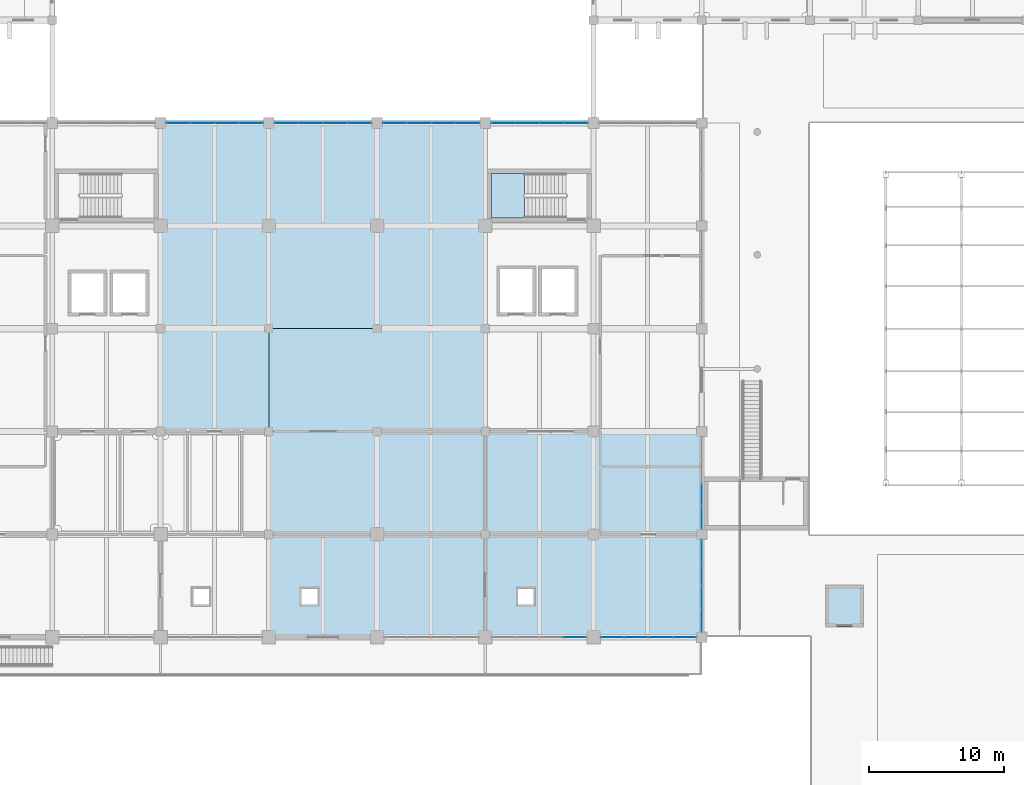
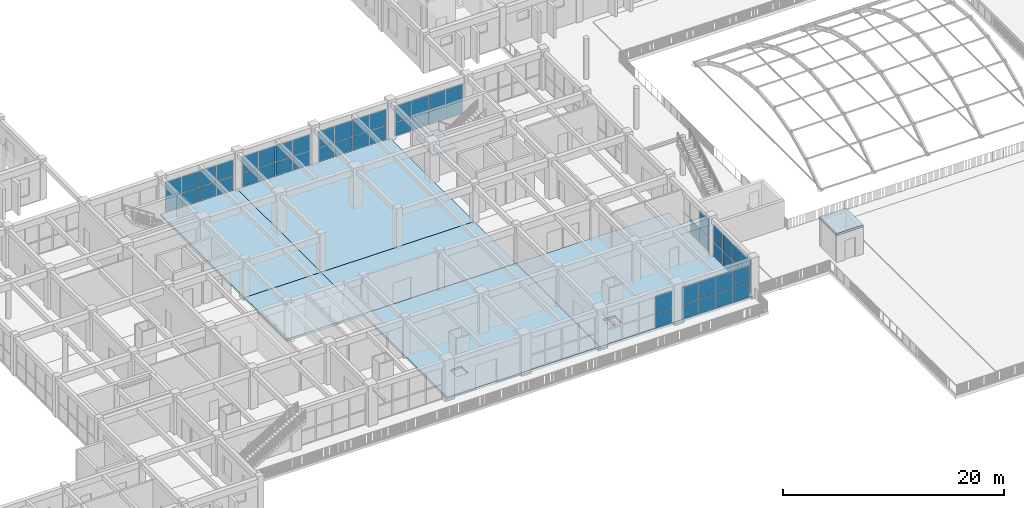
# One storey, part 44 of 79: 53 plates, 8 slabs, 9 elements without a shape of their own.
"""IFC4 building model written with IfcOpenShell, lengths in metres."""

from ifc_helpers import new_model, si_unit, direction, frame, origin, origin_2d, place, context, subcontext, project, spatial, polyline, rectangle, outline, extrude, material, layer, layer_set, type_object, element, aggregate, save


model = new_model("IFC4")

# Units and contexts
model_context = context("Model", 3, precision=1e-05, world=origin(), true_north=direction((0.0, 1.0)))
body_context = subcontext(model_context, "Body", "Model", "MODEL_VIEW")
ifc_project = project(units=[si_unit("LENGTHUNIT", "METRE"), si_unit("AREAUNIT", "SQUARE_METRE"), si_unit("VOLUMEUNIT", "CUBIC_METRE"), si_unit("PLANEANGLEUNIT", "RADIAN"), si_unit("MASSUNIT", "GRAM", prefix="KILO")], contexts=[model_context])

# Site, building, storey
site_placement = place(None, origin())
site = spatial("IfcSite", under=ifc_project, at=site_placement, CompositionType="ELEMENT")
building_placement = place(site_placement, origin())
building = spatial("IfcBuilding", under=site, at=building_placement, Name="Zantavel Square City Hall", CompositionType="ELEMENT")
storey_placement = place(building_placement, frame((0.0, 0.0, 10.199951171875)))
storey = spatial("IfcBuildingStorey", under=building, at=storey_placement, Name="L03", CompositionType="ELEMENT", Elevation=10.199951171875)

# Stair, slab
ifc_material_1 = material(Name="Concrete C35/45", Category="concrete")
stair_type = type_object("IfcStairType", Name="Enclosed Core Dogleg Stair L03 H4500", PredefinedType="HALF_TURN_STAIR", material=ifc_material_1)
stair_placement = place(storey_placement, origin())
stair = element("IfcStair", 1, at=stair_placement, inside=storey, type_object=stair_type, Name="L03 Exit Stair 6 Central East Core", PredefinedType="HALF_TURN_STAIR")
ifc_layer_1 = layer(ifc_material_1, 0.2099609375, Name="Concrete C35/45")
ifc_layer_set_1 = layer_set([ifc_layer_1], Name="Concrete C35/45")
slab_type_1 = type_object("IfcSlabType", Name="Core Stair Half-Landing Slab C35/45", PredefinedType="LANDING", material=ifc_layer_set_1)
slab_1_placement = place(storey_placement, frame((0.0, 0.0, 2.050048828125)))
slab_1 = element("IfcSlab", 2, at=slab_1_placement, type_object=slab_type_1, Name="ST6 landing 1", PredefinedType="LANDING", context=body_context, shape_type="SweptSolid", body=[
    extrude(outline(polyline([(98.889892578125, 64.669921875), (96.469970703125, 64.669921875), (96.469970703125, 61.39990234375), (98.889892578125, 61.39990234375), (98.889892578125, 64.669921875)])), origin(), (0.0, 0.0, 1.0), 0.199951171875),
])
aggregate(stair, [slab_1])

# Slabs
ifc_layer_2 = layer(ifc_material_1, 0.260009765625, Name="Concrete C35/45")
ifc_layer_set_2 = layer_set([ifc_layer_2], Name="Concrete C35/45")
slab_type_2 = type_object("IfcSlabType", Name="Council & Executive Slab 260mm C35/45", PredefinedType="FLOOR", material=ifc_layer_set_2)
slab_2_placement = place(storey_placement, frame((0.0, 0.0, -0.260009765625)))
element("IfcSlab", 3, at=slab_2_placement, inside=storey, type_object=slab_type_2, Name="L03 Floor Slab SLB-L03-V1-03", PredefinedType="FLOOR", context=body_context, shape_type="SweptSolid", body=[
    extrude(outline(polyline([(96.0, 30.39990234375), (80.0, 30.39990234375), (80.0, 45.60009765625), (96.0, 45.60009765625), (96.0, 30.39990234375)]), holes=[polyline([(83.60009765625, 34.0), (82.39990234375, 34.0), (82.39990234375, 32.800048828125), (83.60009765625, 32.800048828125), (83.60009765625, 34.0)])]), origin(), (0.0, 0.0, 1.0), 0.260009765625),
])
slab_3_placement = place(storey_placement, frame((0.0, 0.0, -0.260009765625)))
element("IfcSlab", 4, at=slab_3_placement, inside=storey, type_object=slab_type_2, Name="L03 Floor Slab SLB-L03-V1-04", PredefinedType="FLOOR", context=body_context, shape_type="SweptSolid", body=[
    extrude(outline(polyline([(112.0, 30.39990234375), (96.0, 30.39990234375), (96.0, 45.60009765625), (112.0, 45.60009765625), (112.0, 30.39990234375)]), holes=[polyline([(99.60009765625, 34.0), (98.39990234375, 34.0), (98.39990234375, 32.800048828125), (99.60009765625, 32.800048828125), (99.60009765625, 34.0)])]), origin(), (0.0, 0.0, 1.0), 0.260009765625),
])
slab_4_placement = place(storey_placement, frame((0.0, 0.0, -0.260009765625)))
element("IfcSlab", 5, at=slab_4_placement, inside=storey, type_object=slab_type_2, Name="L03 Floor Slab SLB-L03-V1-06", PredefinedType="FLOOR", context=body_context, shape_type="SweptSolid", body=[
    extrude(outline(polyline([(80.0, 53.199951171875), (80.0, 45.60009765625), (72.0, 45.60009765625), (72.0, 53.199951171875), (80.0, 53.199951171875)])), origin(), (0.0, 0.0, 1.0), 0.260009765625),
])
slab_5_placement = place(storey_placement, frame((0.0, 0.0, -0.260009765625)))
element("IfcSlab", 6, at=slab_5_placement, inside=storey, type_object=slab_type_2, Name="L03 Floor Slab SLB-L03-V1-07", PredefinedType="FLOOR", context=body_context, shape_type="SweptSolid", body=[
    extrude(outline(polyline([(96.0, 53.199951171875), (96.0, 45.60009765625), (80.0, 45.60009765625), (80.0, 53.199951171875), (96.0, 53.199951171875)])), origin(), (0.0, 0.0, 1.0), 0.260009765625),
])
slab_6_placement = place(storey_placement, frame((0.0, 0.0, -0.260009765625)))
element("IfcSlab", 7, at=slab_6_placement, inside=storey, type_object=slab_type_2, Name="L03 Floor Slab SLB-L03-V1-10", PredefinedType="FLOOR", context=body_context, shape_type="SweptSolid", body=[
    extrude(outline(polyline([(80.0, 68.39990234375), (80.0, 53.199951171875), (72.0, 53.199951171875), (72.0, 68.39990234375), (80.0, 68.39990234375)])), origin(), (0.0, 0.0, 1.0), 0.260009765625),
])
slab_7_placement = place(storey_placement, frame((0.0, 0.0, -0.260009765625)))
element("IfcSlab", 8, at=slab_7_placement, inside=storey, type_object=slab_type_2, Name="L03 Floor Slab SLB-L03-V1-11", PredefinedType="FLOOR", context=body_context, shape_type="SweptSolid", body=[
    extrude(outline(polyline([(96.0, 68.39990234375), (96.0, 53.199951171875), (80.0, 53.199951171875), (80.0, 68.39990234375), (96.0, 68.39990234375)])), origin(), (0.0, 0.0, 1.0), 0.260009765625),
])
ifc_layer_3 = layer(ifc_material_1, 0.219970703125, Name="Concrete C35/45")
ifc_layer_set_3 = layer_set([ifc_layer_3], Name="Concrete C35/45")
slab_type_3 = type_object("IfcSlabType", Name="Insulated Flat Roof Slab 220mm C35/45", PredefinedType="ROOF", material=ifc_layer_set_3)
slab_8_placement = place(storey_placement, frame((0.0, 0.0, 3.0)))
element("IfcSlab", 9, at=slab_8_placement, inside=storey, type_object=slab_type_3, Name="L03 Lift LF07 Garden Overrun Roof Slab", PredefinedType="ROOF", context=body_context, shape_type="SweptSolid", body=[
    extrude(outline(polyline([(121.14990234375, 31.14990234375), (123.949951171875, 31.14990234375), (123.949951171875, 34.25), (121.14990234375, 34.25), (121.14990234375, 31.14990234375)])), origin(), (0.0, 0.0, 1.0), 0.219970703125),
])

# Curtain wall, plates
ifc_material_2 = material(Name="Anodised aluminium 6063-T6", Category="aluminium")
curtain_wall_type_1 = type_object("IfcCurtainWallType", Name="Curtain Wall TRV1 6850x3670", PredefinedType="USERDEFINED", material=ifc_material_2)
curtain_wall_1_placement = place(storey_placement, origin())
curtain_wall_1 = element("IfcCurtainWall", 10, at=curtain_wall_1_placement, inside=storey, type_object=curtain_wall_type_1, Name="L03 Glazed Curtain Wall CW-L03-092", ObjectType="GLAZED CURTAIN WALL", PredefinedType="USERDEFINED")
ifc_material_3 = material(Name="Tempered safety glass low-E double glazing", Category="glass")
ifc_layer_4 = layer(ifc_material_3, 0.028076171875, Name="Tempered safety glass low-E double glazing")
ifc_layer_set_4 = layer_set([ifc_layer_4], Name="Tempered safety glass low-E double glazing")
plate_type_1 = type_object("IfcPlateType", Name="Low-E Curtain Glazing Panel 1713x1835x28", PredefinedType="CURTAIN_PANEL", material=ifc_layer_set_4)
plate_1_placement = place(storey_placement, frame((112.0, 40.94384765625, 0.06005859375), z_axis=(0.0, 0.0, 1.0), x_axis=(0.0, -1.0, 0.0)))
plate_1 = element("IfcPlate", 11, at=plate_1_placement, type_object=plate_type_1, Name="CW-092 panel 3.1", PredefinedType="CURTAIN_PANEL", context=body_context, shape_type="SweptSolid", body=[
    extrude(rectangle(XDim=1.652587890625, YDim=0.028076171875, at=origin_2d()), origin(), (0.0, 0.0, 1.0), 1.56103515625),
])
plate_2_placement = place(storey_placement, frame((112.0, 39.246337890625, 0.06005859375), z_axis=(0.0, 0.0, 1.0), x_axis=(0.0, -1.0, 0.0)))
plate_2 = element("IfcPlate", 12, at=plate_2_placement, type_object=plate_type_1, Name="CW-092 panel 4.1", PredefinedType="CURTAIN_PANEL", context=body_context, shape_type="SweptSolid", body=[
    extrude(rectangle(XDim=1.62255859375, YDim=0.028076171875, at=origin_2d()), origin(), (0.0, 0.0, 1.0), 1.56103515625),
])
plate_3_placement = place(storey_placement, frame((112.0, 39.246337890625, 1.68115234375), z_axis=(0.0, 0.0, 1.0), x_axis=(0.0, -1.0, 0.0)))
plate_3 = element("IfcPlate", 13, at=plate_3_placement, type_object=plate_type_1, Name="CW-092 panel 4.2", PredefinedType="CURTAIN_PANEL", context=body_context, shape_type="SweptSolid", body=[
    extrude(rectangle(XDim=1.62255859375, YDim=0.028076171875, at=origin_2d()), origin(), (0.0, 0.0, 1.0), 1.928955078125),
])
aggregate(curtain_wall_1, [plate_1, plate_2, plate_3])

curtain_wall_2_placement = place(storey_placement, origin())
curtain_wall_2 = element("IfcCurtainWall", 14, at=curtain_wall_2_placement, inside=storey, type_object=curtain_wall_type_1, Name="L03 Glazed Curtain Wall CW-L03-093", ObjectType="GLAZED CURTAIN WALL", PredefinedType="USERDEFINED")
plate_4_placement = place(storey_placement, frame((112.0, 36.753662109375, 0.06005859375), z_axis=(0.0, 0.0, 1.0), x_axis=(0.0, -1.0, 0.0)))
plate_4 = element("IfcPlate", 15, at=plate_4_placement, type_object=plate_type_1, Name="CW-093 panel 1.1", PredefinedType="CURTAIN_PANEL", context=body_context, shape_type="SweptSolid", body=[
    extrude(rectangle(XDim=1.62255859375, YDim=0.028076171875, at=origin_2d()), origin(), (0.0, 0.0, 1.0), 1.56103515625),
])
plate_5_placement = place(storey_placement, frame((112.0, 36.753662109375, 1.68115234375), z_axis=(0.0, 0.0, 1.0), x_axis=(0.0, -1.0, 0.0)))
plate_5 = element("IfcPlate", 16, at=plate_5_placement, type_object=plate_type_1, Name="CW-093 panel 1.2", PredefinedType="CURTAIN_PANEL", context=body_context, shape_type="SweptSolid", body=[
    extrude(rectangle(XDim=1.62255859375, YDim=0.028076171875, at=origin_2d()), origin(), (0.0, 0.0, 1.0), 1.928955078125),
])
plate_6_placement = place(storey_placement, frame((112.0, 35.05615234375, 0.06005859375), z_axis=(0.0, 0.0, 1.0), x_axis=(0.0, -1.0, 0.0)))
plate_6 = element("IfcPlate", 17, at=plate_6_placement, type_object=plate_type_1, Name="CW-093 panel 2.1", PredefinedType="CURTAIN_PANEL", context=body_context, shape_type="SweptSolid", body=[
    extrude(rectangle(XDim=1.652587890625, YDim=0.028076171875, at=origin_2d()), origin(), (0.0, 0.0, 1.0), 1.56103515625),
])
plate_7_placement = place(storey_placement, frame((112.0, 35.05615234375, 1.68115234375), z_axis=(0.0, 0.0, 1.0), x_axis=(0.0, -1.0, 0.0)))
plate_7 = element("IfcPlate", 18, at=plate_7_placement, type_object=plate_type_1, Name="CW-093 panel 2.2", PredefinedType="CURTAIN_PANEL", context=body_context, shape_type="SweptSolid", body=[
    extrude(rectangle(XDim=1.652587890625, YDim=0.028076171875, at=origin_2d()), origin(), (0.0, 0.0, 1.0), 1.928955078125),
])
plate_8_placement = place(storey_placement, frame((112.0, 33.34375, 0.06005859375), z_axis=(0.0, 0.0, 1.0), x_axis=(0.0, -1.0, 0.0)))
plate_8 = element("IfcPlate", 19, at=plate_8_placement, type_object=plate_type_1, Name="CW-093 panel 3.1", PredefinedType="CURTAIN_PANEL", context=body_context, shape_type="SweptSolid", body=[
    extrude(rectangle(XDim=1.652587890625, YDim=0.028076171875, at=origin_2d()), origin(), (0.0, 0.0, 1.0), 1.56103515625),
])
plate_9_placement = place(storey_placement, frame((112.0, 33.34375, 1.68115234375), z_axis=(0.0, 0.0, 1.0), x_axis=(0.0, -1.0, 0.0)))
plate_9 = element("IfcPlate", 20, at=plate_9_placement, type_object=plate_type_1, Name="CW-093 panel 3.2", PredefinedType="CURTAIN_PANEL", context=body_context, shape_type="SweptSolid", body=[
    extrude(rectangle(XDim=1.652587890625, YDim=0.028076171875, at=origin_2d()), origin(), (0.0, 0.0, 1.0), 1.928955078125),
])
plate_10_placement = place(storey_placement, frame((112.0, 31.646240234375, 0.06005859375), z_axis=(0.0, 0.0, 1.0), x_axis=(0.0, -1.0, 0.0)))
plate_10 = element("IfcPlate", 21, at=plate_10_placement, type_object=plate_type_1, Name="CW-093 panel 4.1", PredefinedType="CURTAIN_PANEL", context=body_context, shape_type="SweptSolid", body=[
    extrude(rectangle(XDim=1.62255859375, YDim=0.028076171875, at=origin_2d()), origin(), (0.0, 0.0, 1.0), 1.56103515625),
])
plate_11_placement = place(storey_placement, frame((112.0, 31.646240234375, 1.68115234375), z_axis=(0.0, 0.0, 1.0), x_axis=(0.0, -1.0, 0.0)))
plate_11 = element("IfcPlate", 22, at=plate_11_placement, type_object=plate_type_1, Name="CW-093 panel 4.2", PredefinedType="CURTAIN_PANEL", context=body_context, shape_type="SweptSolid", body=[
    extrude(rectangle(XDim=1.62255859375, YDim=0.028076171875, at=origin_2d()), origin(), (0.0, 0.0, 1.0), 1.928955078125),
])
aggregate(curtain_wall_2, [plate_4, plate_5, plate_6, plate_7, plate_8, plate_9, plate_10, plate_11])

curtain_wall_type_2 = type_object("IfcCurtainWallType", Name="Curtain Wall TRV1 7000x3620", PredefinedType="USERDEFINED", material=ifc_material_2)
curtain_wall_3_placement = place(storey_placement, origin())
curtain_wall_3 = element("IfcCurtainWall", 23, at=curtain_wall_3_placement, inside=storey, type_object=curtain_wall_type_2, Name="L03 Glazed Curtain Wall CW-L03-095", ObjectType="GLAZED CURTAIN WALL", PredefinedType="USERDEFINED")
ifc_layer_5 = layer(ifc_material_3, 0.028076171875, Name="Tempered safety glass low-E double glazing")
ifc_layer_set_5 = layer_set([ifc_layer_5], Name="Tempered safety glass low-E double glazing")
plate_type_2 = type_object("IfcPlateType", Name="Low-E Curtain Glazing Panel 1750x1810x28", PredefinedType="CURTAIN_PANEL", material=ifc_layer_set_5)
plate_12_placement = place(storey_placement, frame((102.610107421875, 30.39990234375, 0.06005859375), z_axis=(0.0, 0.0, 1.0), x_axis=(-1.0, 0.0, 0.0)))
plate_12 = element("IfcPlate", 24, at=plate_12_placement, type_object=plate_type_2, Name="CW-095 panel 1.1", PredefinedType="CURTAIN_PANEL", context=body_context, shape_type="SweptSolid", body=[
    extrude(rectangle(XDim=1.659912109375, YDim=0.028076171875, at=origin_2d()), origin(), (0.0, 0.0, 1.0), 1.5390625),
])
plate_13_placement = place(storey_placement, frame((102.610107421875, 30.39990234375, 1.6591796875), z_axis=(0.0, 0.0, 1.0), x_axis=(-1.0, 0.0, 0.0)))
plate_13 = element("IfcPlate", 25, at=plate_13_placement, type_object=plate_type_2, Name="CW-095 panel 1.2", PredefinedType="CURTAIN_PANEL", context=body_context, shape_type="SweptSolid", body=[
    extrude(rectangle(XDim=1.659912109375, YDim=0.028076171875, at=origin_2d()), origin(), (0.0, 0.0, 1.0), 1.90087890625),
])
aggregate(curtain_wall_3, [plate_12, plate_13])

curtain_wall_type_3 = type_object("IfcCurtainWallType", Name="Curtain Wall TRV1 7125x3620", PredefinedType="USERDEFINED", material=ifc_material_2)
curtain_wall_4_placement = place(storey_placement, origin())
curtain_wall_4 = element("IfcCurtainWall", 26, at=curtain_wall_4_placement, inside=storey, type_object=curtain_wall_type_3, Name="L03 Glazed Curtain Wall CW-L03-094", ObjectType="GLAZED CURTAIN WALL", PredefinedType="USERDEFINED")
ifc_layer_6 = layer(ifc_material_3, 0.028076171875, Name="Tempered safety glass low-E double glazing")
ifc_layer_set_6 = layer_set([ifc_layer_6], Name="Tempered safety glass low-E double glazing")
plate_type_3 = type_object("IfcPlateType", Name="Low-E Curtain Glazing Panel 1781x1810x28", PredefinedType="CURTAIN_PANEL", material=ifc_layer_set_6)
plate_14_placement = place(storey_placement, frame((110.719482421875, 30.39990234375, 0.06005859375), z_axis=(0.0, 0.0, 1.0), x_axis=(-1.0, 0.0, 0.0)))
plate_14 = element("IfcPlate", 27, at=plate_14_placement, type_object=plate_type_3, Name="CW-094 panel 1.1", PredefinedType="CURTAIN_PANEL", context=body_context, shape_type="SweptSolid", body=[
    extrude(rectangle(XDim=1.691162109375, YDim=0.028076171875, at=origin_2d()), origin(), (0.0, 0.0, 1.0), 1.5390625),
])
plate_15_placement = place(storey_placement, frame((110.719482421875, 30.39990234375, 1.6591796875), z_axis=(0.0, 0.0, 1.0), x_axis=(-1.0, 0.0, 0.0)))
plate_15 = element("IfcPlate", 28, at=plate_15_placement, type_object=plate_type_3, Name="CW-094 panel 1.2", PredefinedType="CURTAIN_PANEL", context=body_context, shape_type="SweptSolid", body=[
    extrude(rectangle(XDim=1.691162109375, YDim=0.028076171875, at=origin_2d()), origin(), (0.0, 0.0, 1.0), 1.90087890625),
])
plate_16_placement = place(storey_placement, frame((108.953125, 30.39990234375, 0.06005859375), z_axis=(0.0, 0.0, 1.0), x_axis=(-1.0, 0.0, 0.0)))
plate_16 = element("IfcPlate", 29, at=plate_16_placement, type_object=plate_type_3, Name="CW-094 panel 2.1", PredefinedType="CURTAIN_PANEL", context=body_context, shape_type="SweptSolid", body=[
    extrude(rectangle(XDim=1.72119140625, YDim=0.028076171875, at=origin_2d()), origin(), (0.0, 0.0, 1.0), 1.5390625),
])
plate_17_placement = place(storey_placement, frame((108.953125, 30.39990234375, 1.6591796875), z_axis=(0.0, 0.0, 1.0), x_axis=(-1.0, 0.0, 0.0)))
plate_17 = element("IfcPlate", 30, at=plate_17_placement, type_object=plate_type_3, Name="CW-094 panel 2.2", PredefinedType="CURTAIN_PANEL", context=body_context, shape_type="SweptSolid", body=[
    extrude(rectangle(XDim=1.72119140625, YDim=0.028076171875, at=origin_2d()), origin(), (0.0, 0.0, 1.0), 1.90087890625),
])
plate_18_placement = place(storey_placement, frame((107.171875, 30.39990234375, 0.06005859375), z_axis=(0.0, 0.0, 1.0), x_axis=(-1.0, 0.0, 0.0)))
plate_18 = element("IfcPlate", 31, at=plate_18_placement, type_object=plate_type_3, Name="CW-094 panel 3.1", PredefinedType="CURTAIN_PANEL", context=body_context, shape_type="SweptSolid", body=[
    extrude(rectangle(XDim=1.72119140625, YDim=0.028076171875, at=origin_2d()), origin(), (0.0, 0.0, 1.0), 1.5390625),
])
plate_19_placement = place(storey_placement, frame((107.171875, 30.39990234375, 1.6591796875), z_axis=(0.0, 0.0, 1.0), x_axis=(-1.0, 0.0, 0.0)))
plate_19 = element("IfcPlate", 32, at=plate_19_placement, type_object=plate_type_3, Name="CW-094 panel 3.2", PredefinedType="CURTAIN_PANEL", context=body_context, shape_type="SweptSolid", body=[
    extrude(rectangle(XDim=1.72119140625, YDim=0.028076171875, at=origin_2d()), origin(), (0.0, 0.0, 1.0), 1.90087890625),
])
plate_20_placement = place(storey_placement, frame((105.405517578125, 30.39990234375, 0.06005859375), z_axis=(0.0, 0.0, 1.0), x_axis=(-1.0, 0.0, 0.0)))
plate_20 = element("IfcPlate", 33, at=plate_20_placement, type_object=plate_type_3, Name="CW-094 panel 4.1", PredefinedType="CURTAIN_PANEL", context=body_context, shape_type="SweptSolid", body=[
    extrude(rectangle(XDim=1.691162109375, YDim=0.028076171875, at=origin_2d()), origin(), (0.0, 0.0, 1.0), 1.5390625),
])
plate_21_placement = place(storey_placement, frame((105.405517578125, 30.39990234375, 1.6591796875), z_axis=(0.0, 0.0, 1.0), x_axis=(-1.0, 0.0, 0.0)))
plate_21 = element("IfcPlate", 34, at=plate_21_placement, type_object=plate_type_3, Name="CW-094 panel 4.2", PredefinedType="CURTAIN_PANEL", context=body_context, shape_type="SweptSolid", body=[
    extrude(rectangle(XDim=1.691162109375, YDim=0.028076171875, at=origin_2d()), origin(), (0.0, 0.0, 1.0), 1.90087890625),
])
aggregate(curtain_wall_4, [plate_14, plate_15, plate_16, plate_17, plate_18, plate_19, plate_20, plate_21])

curtain_wall_type_4 = type_object("IfcCurtainWallType", Name="Curtain Wall TRV1 7200x3470", PredefinedType="USERDEFINED", material=ifc_material_2)
curtain_wall_5_placement = place(storey_placement, origin())
curtain_wall_5 = element("IfcCurtainWall", 35, at=curtain_wall_5_placement, inside=storey, type_object=curtain_wall_type_4, Name="L03 Glazed Curtain Wall CW-L03-085", ObjectType="GLAZED CURTAIN WALL", PredefinedType="USERDEFINED")
ifc_layer_7 = layer(ifc_material_3, 0.028076171875, Name="Tempered safety glass low-E double glazing")
ifc_layer_set_7 = layer_set([ifc_layer_7], Name="Tempered safety glass low-E double glazing")
plate_type_4 = type_object("IfcPlateType", Name="Low-E Curtain Glazing Panel 1800x1735x28", PredefinedType="CURTAIN_PANEL", material=ifc_layer_set_7)
plate_22_placement = place(storey_placement, frame((73.31494140625, 68.39990234375, 0.06005859375), z_axis=(0.0, 0.0, 1.0), x_axis=(1.0, 0.0, 0.0)))
plate_22 = element("IfcPlate", 36, at=plate_22_placement, type_object=plate_type_4, Name="CW-085 panel 1.1", PredefinedType="CURTAIN_PANEL", context=body_context, shape_type="SweptSolid", body=[
    extrude(rectangle(XDim=1.7099609375, YDim=0.028076171875, at=origin_2d()), origin(), (0.0, 0.0, 1.0), 1.471923828125),
])
plate_23_placement = place(storey_placement, frame((73.31494140625, 68.39990234375, 1.591796875), z_axis=(0.0, 0.0, 1.0), x_axis=(1.0, 0.0, 0.0)))
plate_23 = element("IfcPlate", 37, at=plate_23_placement, type_object=plate_type_4, Name="CW-085 panel 1.2", PredefinedType="CURTAIN_PANEL", context=body_context, shape_type="SweptSolid", body=[
    extrude(rectangle(XDim=1.7099609375, YDim=0.028076171875, at=origin_2d()), origin(), (0.0, 0.0, 1.0), 1.818115234375),
])
plate_24_placement = place(storey_placement, frame((75.10009765625, 68.39990234375, 0.06005859375), z_axis=(0.0, 0.0, 1.0), x_axis=(1.0, 0.0, 0.0)))
plate_24 = element("IfcPlate", 38, at=plate_24_placement, type_object=plate_type_4, Name="CW-085 panel 2.1", PredefinedType="CURTAIN_PANEL", context=body_context, shape_type="SweptSolid", body=[
    extrude(rectangle(XDim=1.739990234375, YDim=0.028076171875, at=origin_2d()), origin(), (0.0, 0.0, 1.0), 1.471923828125),
])
plate_25_placement = place(storey_placement, frame((75.10009765625, 68.39990234375, 1.591796875), z_axis=(0.0, 0.0, 1.0), x_axis=(1.0, 0.0, 0.0)))
plate_25 = element("IfcPlate", 39, at=plate_25_placement, type_object=plate_type_4, Name="CW-085 panel 2.2", PredefinedType="CURTAIN_PANEL", context=body_context, shape_type="SweptSolid", body=[
    extrude(rectangle(XDim=1.739990234375, YDim=0.028076171875, at=origin_2d()), origin(), (0.0, 0.0, 1.0), 1.818115234375),
])
plate_26_placement = place(storey_placement, frame((76.89990234375, 68.39990234375, 0.06005859375), z_axis=(0.0, 0.0, 1.0), x_axis=(1.0, 0.0, 0.0)))
plate_26 = element("IfcPlate", 40, at=plate_26_placement, type_object=plate_type_4, Name="CW-085 panel 3.1", PredefinedType="CURTAIN_PANEL", context=body_context, shape_type="SweptSolid", body=[
    extrude(rectangle(XDim=1.739990234375, YDim=0.028076171875, at=origin_2d()), origin(), (0.0, 0.0, 1.0), 1.471923828125),
])
plate_27_placement = place(storey_placement, frame((76.89990234375, 68.39990234375, 1.591796875), z_axis=(0.0, 0.0, 1.0), x_axis=(1.0, 0.0, 0.0)))
plate_27 = element("IfcPlate", 41, at=plate_27_placement, type_object=plate_type_4, Name="CW-085 panel 3.2", PredefinedType="CURTAIN_PANEL", context=body_context, shape_type="SweptSolid", body=[
    extrude(rectangle(XDim=1.739990234375, YDim=0.028076171875, at=origin_2d()), origin(), (0.0, 0.0, 1.0), 1.818115234375),
])
plate_28_placement = place(storey_placement, frame((78.68505859375, 68.39990234375, 0.06005859375), z_axis=(0.0, 0.0, 1.0), x_axis=(1.0, 0.0, 0.0)))
plate_28 = element("IfcPlate", 42, at=plate_28_placement, type_object=plate_type_4, Name="CW-085 panel 4.1", PredefinedType="CURTAIN_PANEL", context=body_context, shape_type="SweptSolid", body=[
    extrude(rectangle(XDim=1.7099609375, YDim=0.028076171875, at=origin_2d()), origin(), (0.0, 0.0, 1.0), 1.471923828125),
])
plate_29_placement = place(storey_placement, frame((78.68505859375, 68.39990234375, 1.591796875), z_axis=(0.0, 0.0, 1.0), x_axis=(1.0, 0.0, 0.0)))
plate_29 = element("IfcPlate", 43, at=plate_29_placement, type_object=plate_type_4, Name="CW-085 panel 4.2", PredefinedType="CURTAIN_PANEL", context=body_context, shape_type="SweptSolid", body=[
    extrude(rectangle(XDim=1.7099609375, YDim=0.028076171875, at=origin_2d()), origin(), (0.0, 0.0, 1.0), 1.818115234375),
])
aggregate(curtain_wall_5, [plate_22, plate_23, plate_24, plate_25, plate_26, plate_27, plate_28, plate_29])

curtain_wall_6_placement = place(storey_placement, origin())
curtain_wall_6 = element("IfcCurtainWall", 44, at=curtain_wall_6_placement, inside=storey, type_object=curtain_wall_type_4, Name="L03 Glazed Curtain Wall CW-L03-086", ObjectType="GLAZED CURTAIN WALL", PredefinedType="USERDEFINED")
plate_30_placement = place(storey_placement, frame((81.31494140625, 68.39990234375, 0.06005859375), z_axis=(0.0, 0.0, 1.0), x_axis=(1.0, 0.0, 0.0)))
plate_30 = element("IfcPlate", 45, at=plate_30_placement, type_object=plate_type_4, Name="CW-086 panel 1.1", PredefinedType="CURTAIN_PANEL", context=body_context, shape_type="SweptSolid", body=[
    extrude(rectangle(XDim=1.7099609375, YDim=0.028076171875, at=origin_2d()), origin(), (0.0, 0.0, 1.0), 1.471923828125),
])
plate_31_placement = place(storey_placement, frame((81.31494140625, 68.39990234375, 1.591796875), z_axis=(0.0, 0.0, 1.0), x_axis=(1.0, 0.0, 0.0)))
plate_31 = element("IfcPlate", 46, at=plate_31_placement, type_object=plate_type_4, Name="CW-086 panel 1.2", PredefinedType="CURTAIN_PANEL", context=body_context, shape_type="SweptSolid", body=[
    extrude(rectangle(XDim=1.7099609375, YDim=0.028076171875, at=origin_2d()), origin(), (0.0, 0.0, 1.0), 1.818115234375),
])
plate_32_placement = place(storey_placement, frame((83.10009765625, 68.39990234375, 0.06005859375), z_axis=(0.0, 0.0, 1.0), x_axis=(1.0, 0.0, 0.0)))
plate_32 = element("IfcPlate", 47, at=plate_32_placement, type_object=plate_type_4, Name="CW-086 panel 2.1", PredefinedType="CURTAIN_PANEL", context=body_context, shape_type="SweptSolid", body=[
    extrude(rectangle(XDim=1.739990234375, YDim=0.028076171875, at=origin_2d()), origin(), (0.0, 0.0, 1.0), 1.471923828125),
])
plate_33_placement = place(storey_placement, frame((83.10009765625, 68.39990234375, 1.591796875), z_axis=(0.0, 0.0, 1.0), x_axis=(1.0, 0.0, 0.0)))
plate_33 = element("IfcPlate", 48, at=plate_33_placement, type_object=plate_type_4, Name="CW-086 panel 2.2", PredefinedType="CURTAIN_PANEL", context=body_context, shape_type="SweptSolid", body=[
    extrude(rectangle(XDim=1.739990234375, YDim=0.028076171875, at=origin_2d()), origin(), (0.0, 0.0, 1.0), 1.818115234375),
])
plate_34_placement = place(storey_placement, frame((84.89990234375, 68.39990234375, 0.06005859375), z_axis=(0.0, 0.0, 1.0), x_axis=(1.0, 0.0, 0.0)))
plate_34 = element("IfcPlate", 49, at=plate_34_placement, type_object=plate_type_4, Name="CW-086 panel 3.1", PredefinedType="CURTAIN_PANEL", context=body_context, shape_type="SweptSolid", body=[
    extrude(rectangle(XDim=1.739990234375, YDim=0.028076171875, at=origin_2d()), origin(), (0.0, 0.0, 1.0), 1.471923828125),
])
plate_35_placement = place(storey_placement, frame((84.89990234375, 68.39990234375, 1.591796875), z_axis=(0.0, 0.0, 1.0), x_axis=(1.0, 0.0, 0.0)))
plate_35 = element("IfcPlate", 50, at=plate_35_placement, type_object=plate_type_4, Name="CW-086 panel 3.2", PredefinedType="CURTAIN_PANEL", context=body_context, shape_type="SweptSolid", body=[
    extrude(rectangle(XDim=1.739990234375, YDim=0.028076171875, at=origin_2d()), origin(), (0.0, 0.0, 1.0), 1.818115234375),
])
plate_36_placement = place(storey_placement, frame((86.68505859375, 68.39990234375, 0.06005859375), z_axis=(0.0, 0.0, 1.0), x_axis=(1.0, 0.0, 0.0)))
plate_36 = element("IfcPlate", 51, at=plate_36_placement, type_object=plate_type_4, Name="CW-086 panel 4.1", PredefinedType="CURTAIN_PANEL", context=body_context, shape_type="SweptSolid", body=[
    extrude(rectangle(XDim=1.7099609375, YDim=0.028076171875, at=origin_2d()), origin(), (0.0, 0.0, 1.0), 1.471923828125),
])
plate_37_placement = place(storey_placement, frame((86.68505859375, 68.39990234375, 1.591796875), z_axis=(0.0, 0.0, 1.0), x_axis=(1.0, 0.0, 0.0)))
plate_37 = element("IfcPlate", 52, at=plate_37_placement, type_object=plate_type_4, Name="CW-086 panel 4.2", PredefinedType="CURTAIN_PANEL", context=body_context, shape_type="SweptSolid", body=[
    extrude(rectangle(XDim=1.7099609375, YDim=0.028076171875, at=origin_2d()), origin(), (0.0, 0.0, 1.0), 1.818115234375),
])
aggregate(curtain_wall_6, [plate_30, plate_31, plate_32, plate_33, plate_34, plate_35, plate_36, plate_37])

curtain_wall_7_placement = place(storey_placement, origin())
curtain_wall_7 = element("IfcCurtainWall", 53, at=curtain_wall_7_placement, inside=storey, type_object=curtain_wall_type_4, Name="L03 Glazed Curtain Wall CW-L03-087", ObjectType="GLAZED CURTAIN WALL", PredefinedType="USERDEFINED")
plate_38_placement = place(storey_placement, frame((89.31494140625, 68.39990234375, 0.06005859375), z_axis=(0.0, 0.0, 1.0), x_axis=(1.0, 0.0, 0.0)))
plate_38 = element("IfcPlate", 54, at=plate_38_placement, type_object=plate_type_4, Name="CW-087 panel 1.1", PredefinedType="CURTAIN_PANEL", context=body_context, shape_type="SweptSolid", body=[
    extrude(rectangle(XDim=1.7099609375, YDim=0.028076171875, at=origin_2d()), origin(), (0.0, 0.0, 1.0), 1.471923828125),
])
plate_39_placement = place(storey_placement, frame((89.31494140625, 68.39990234375, 1.591796875), z_axis=(0.0, 0.0, 1.0), x_axis=(1.0, 0.0, 0.0)))
plate_39 = element("IfcPlate", 55, at=plate_39_placement, type_object=plate_type_4, Name="CW-087 panel 1.2", PredefinedType="CURTAIN_PANEL", context=body_context, shape_type="SweptSolid", body=[
    extrude(rectangle(XDim=1.7099609375, YDim=0.028076171875, at=origin_2d()), origin(), (0.0, 0.0, 1.0), 1.818115234375),
])
plate_40_placement = place(storey_placement, frame((91.10009765625, 68.39990234375, 0.06005859375), z_axis=(0.0, 0.0, 1.0), x_axis=(1.0, 0.0, 0.0)))
plate_40 = element("IfcPlate", 56, at=plate_40_placement, type_object=plate_type_4, Name="CW-087 panel 2.1", PredefinedType="CURTAIN_PANEL", context=body_context, shape_type="SweptSolid", body=[
    extrude(rectangle(XDim=1.739990234375, YDim=0.028076171875, at=origin_2d()), origin(), (0.0, 0.0, 1.0), 1.471923828125),
])
plate_41_placement = place(storey_placement, frame((91.10009765625, 68.39990234375, 1.591796875), z_axis=(0.0, 0.0, 1.0), x_axis=(1.0, 0.0, 0.0)))
plate_41 = element("IfcPlate", 57, at=plate_41_placement, type_object=plate_type_4, Name="CW-087 panel 2.2", PredefinedType="CURTAIN_PANEL", context=body_context, shape_type="SweptSolid", body=[
    extrude(rectangle(XDim=1.739990234375, YDim=0.028076171875, at=origin_2d()), origin(), (0.0, 0.0, 1.0), 1.818115234375),
])
plate_42_placement = place(storey_placement, frame((92.89990234375, 68.39990234375, 0.06005859375), z_axis=(0.0, 0.0, 1.0), x_axis=(1.0, 0.0, 0.0)))
plate_42 = element("IfcPlate", 58, at=plate_42_placement, type_object=plate_type_4, Name="CW-087 panel 3.1", PredefinedType="CURTAIN_PANEL", context=body_context, shape_type="SweptSolid", body=[
    extrude(rectangle(XDim=1.739990234375, YDim=0.028076171875, at=origin_2d()), origin(), (0.0, 0.0, 1.0), 1.471923828125),
])
plate_43_placement = place(storey_placement, frame((92.89990234375, 68.39990234375, 1.591796875), z_axis=(0.0, 0.0, 1.0), x_axis=(1.0, 0.0, 0.0)))
plate_43 = element("IfcPlate", 59, at=plate_43_placement, type_object=plate_type_4, Name="CW-087 panel 3.2", PredefinedType="CURTAIN_PANEL", context=body_context, shape_type="SweptSolid", body=[
    extrude(rectangle(XDim=1.739990234375, YDim=0.028076171875, at=origin_2d()), origin(), (0.0, 0.0, 1.0), 1.818115234375),
])
plate_44_placement = place(storey_placement, frame((94.68505859375, 68.39990234375, 0.06005859375), z_axis=(0.0, 0.0, 1.0), x_axis=(1.0, 0.0, 0.0)))
plate_44 = element("IfcPlate", 60, at=plate_44_placement, type_object=plate_type_4, Name="CW-087 panel 4.1", PredefinedType="CURTAIN_PANEL", context=body_context, shape_type="SweptSolid", body=[
    extrude(rectangle(XDim=1.7099609375, YDim=0.028076171875, at=origin_2d()), origin(), (0.0, 0.0, 1.0), 1.471923828125),
])
plate_45_placement = place(storey_placement, frame((94.68505859375, 68.39990234375, 1.591796875), z_axis=(0.0, 0.0, 1.0), x_axis=(1.0, 0.0, 0.0)))
plate_45 = element("IfcPlate", 61, at=plate_45_placement, type_object=plate_type_4, Name="CW-087 panel 4.2", PredefinedType="CURTAIN_PANEL", context=body_context, shape_type="SweptSolid", body=[
    extrude(rectangle(XDim=1.7099609375, YDim=0.028076171875, at=origin_2d()), origin(), (0.0, 0.0, 1.0), 1.818115234375),
])
aggregate(curtain_wall_7, [plate_38, plate_39, plate_40, plate_41, plate_42, plate_43, plate_44, plate_45])

curtain_wall_8_placement = place(storey_placement, origin())
curtain_wall_8 = element("IfcCurtainWall", 62, at=curtain_wall_8_placement, inside=storey, type_object=curtain_wall_type_4, Name="L03 Glazed Curtain Wall CW-L03-088", ObjectType="GLAZED CURTAIN WALL", PredefinedType="USERDEFINED")
plate_46_placement = place(storey_placement, frame((97.31494140625, 68.39990234375, 0.06005859375), z_axis=(0.0, 0.0, 1.0), x_axis=(1.0, 0.0, 0.0)))
plate_46 = element("IfcPlate", 63, at=plate_46_placement, type_object=plate_type_4, Name="CW-088 panel 1.1", PredefinedType="CURTAIN_PANEL", context=body_context, shape_type="SweptSolid", body=[
    extrude(rectangle(XDim=1.7099609375, YDim=0.028076171875, at=origin_2d()), origin(), (0.0, 0.0, 1.0), 1.471923828125),
])
plate_47_placement = place(storey_placement, frame((97.31494140625, 68.39990234375, 1.591796875), z_axis=(0.0, 0.0, 1.0), x_axis=(1.0, 0.0, 0.0)))
plate_47 = element("IfcPlate", 64, at=plate_47_placement, type_object=plate_type_4, Name="CW-088 panel 1.2", PredefinedType="CURTAIN_PANEL", context=body_context, shape_type="SweptSolid", body=[
    extrude(rectangle(XDim=1.7099609375, YDim=0.028076171875, at=origin_2d()), origin(), (0.0, 0.0, 1.0), 1.818115234375),
])
plate_48_placement = place(storey_placement, frame((99.10009765625, 68.39990234375, 0.06005859375), z_axis=(0.0, 0.0, 1.0), x_axis=(1.0, 0.0, 0.0)))
plate_48 = element("IfcPlate", 65, at=plate_48_placement, type_object=plate_type_4, Name="CW-088 panel 2.1", PredefinedType="CURTAIN_PANEL", context=body_context, shape_type="SweptSolid", body=[
    extrude(rectangle(XDim=1.739990234375, YDim=0.028076171875, at=origin_2d()), origin(), (0.0, 0.0, 1.0), 1.471923828125),
])
plate_49_placement = place(storey_placement, frame((99.10009765625, 68.39990234375, 1.591796875), z_axis=(0.0, 0.0, 1.0), x_axis=(1.0, 0.0, 0.0)))
plate_49 = element("IfcPlate", 66, at=plate_49_placement, type_object=plate_type_4, Name="CW-088 panel 2.2", PredefinedType="CURTAIN_PANEL", context=body_context, shape_type="SweptSolid", body=[
    extrude(rectangle(XDim=1.739990234375, YDim=0.028076171875, at=origin_2d()), origin(), (0.0, 0.0, 1.0), 1.818115234375),
])
plate_50_placement = place(storey_placement, frame((100.89990234375, 68.39990234375, 0.06005859375), z_axis=(0.0, 0.0, 1.0), x_axis=(1.0, 0.0, 0.0)))
plate_50 = element("IfcPlate", 67, at=plate_50_placement, type_object=plate_type_4, Name="CW-088 panel 3.1", PredefinedType="CURTAIN_PANEL", context=body_context, shape_type="SweptSolid", body=[
    extrude(rectangle(XDim=1.739990234375, YDim=0.028076171875, at=origin_2d()), origin(), (0.0, 0.0, 1.0), 1.471923828125),
])
plate_51_placement = place(storey_placement, frame((100.89990234375, 68.39990234375, 1.591796875), z_axis=(0.0, 0.0, 1.0), x_axis=(1.0, 0.0, 0.0)))
plate_51 = element("IfcPlate", 68, at=plate_51_placement, type_object=plate_type_4, Name="CW-088 panel 3.2", PredefinedType="CURTAIN_PANEL", context=body_context, shape_type="SweptSolid", body=[
    extrude(rectangle(XDim=1.739990234375, YDim=0.028076171875, at=origin_2d()), origin(), (0.0, 0.0, 1.0), 1.818115234375),
])
plate_52_placement = place(storey_placement, frame((102.68505859375, 68.39990234375, 0.06005859375), z_axis=(0.0, 0.0, 1.0), x_axis=(1.0, 0.0, 0.0)))
plate_52 = element("IfcPlate", 69, at=plate_52_placement, type_object=plate_type_4, Name="CW-088 panel 4.1", PredefinedType="CURTAIN_PANEL", context=body_context, shape_type="SweptSolid", body=[
    extrude(rectangle(XDim=1.7099609375, YDim=0.028076171875, at=origin_2d()), origin(), (0.0, 0.0, 1.0), 1.471923828125),
])
plate_53_placement = place(storey_placement, frame((102.68505859375, 68.39990234375, 1.591796875), z_axis=(0.0, 0.0, 1.0), x_axis=(1.0, 0.0, 0.0)))
plate_53 = element("IfcPlate", 70, at=plate_53_placement, type_object=plate_type_4, Name="CW-088 panel 4.2", PredefinedType="CURTAIN_PANEL", context=body_context, shape_type="SweptSolid", body=[
    extrude(rectangle(XDim=1.7099609375, YDim=0.028076171875, at=origin_2d()), origin(), (0.0, 0.0, 1.0), 1.818115234375),
])
aggregate(curtain_wall_8, [plate_46, plate_47, plate_48, plate_49, plate_50, plate_51, plate_52, plate_53])

save(model, "model.ifc")
